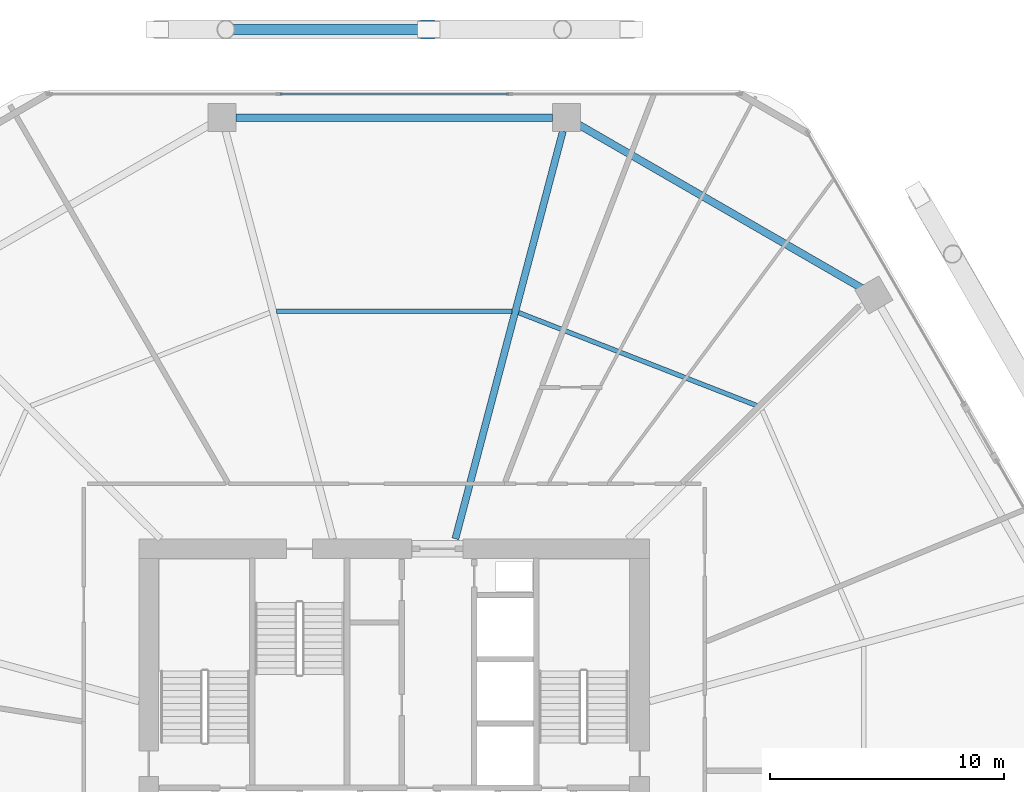
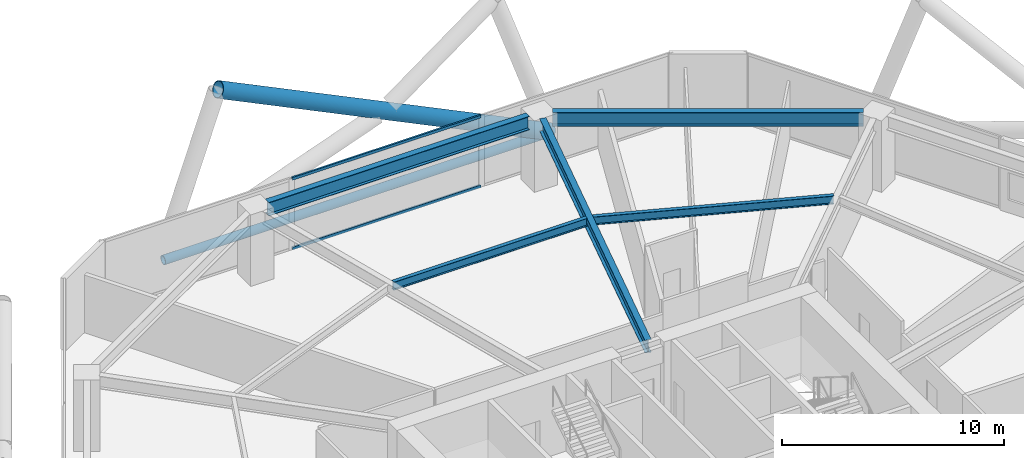
# One storey, part 20 of 28: 5 beams, 4 members, 1 element without a shape of its own.
"""IFC4 building model written with IfcOpenShell, lengths in metres."""

from ifc_helpers import new_model, si_unit, direction, frame, origin, origin_2d, place, context, subcontext, project, spatial, hollow_rectangle, hollow_circle, i_section, extrude, material, material_profile, profile_set, type_object, element, aggregate, save


model = new_model("IFC4")

# Units and contexts
model_context = context("Model", 3, precision=1e-05, world=origin(), true_north=direction((0.0, 1.0)))
body_context = subcontext(model_context, "Body", "Model", "MODEL_VIEW")
ifc_project = project(units=[si_unit("LENGTHUNIT", "METRE"), si_unit("AREAUNIT", "SQUARE_METRE"), si_unit("VOLUMEUNIT", "CUBIC_METRE"), si_unit("PLANEANGLEUNIT", "RADIAN"), si_unit("MASSUNIT", "GRAM", prefix="KILO")], contexts=[model_context])

# Site, building, storey
site_placement = place(None, origin())
site = spatial("IfcSite", under=ifc_project, at=site_placement, CompositionType="ELEMENT")
building_placement = place(site_placement, origin())
building = spatial("IfcBuilding", under=site, at=building_placement, Name="Zuhravey Tower", CompositionType="ELEMENT")
storey_placement = place(building_placement, frame((0.0, 0.0, 75.0)))
storey = spatial("IfcBuildingStorey", under=building, at=storey_placement, Name="L18", CompositionType="ELEMENT", Elevation=75.0)

# Curtain wall, members
ifc_material_1 = material(Name="Thermally broken anodised aluminium", Category="aluminium")
curtain_wall_type = type_object("IfcCurtainWallType", Name="School Low-E Unitised Curtain Wall CW1", PredefinedType="NOTDEFINED", material=ifc_material_1)
curtain_wall_placement = place(storey_placement, origin())
curtain_wall = element("IfcCurtainWall", 1, at=curtain_wall_placement, inside=storey, type_object=curtain_wall_type, Name="L18 CW1 CW-L18-F2-1", PredefinedType="NOTDEFINED")
ifc_material_2 = material(Name="Anodised aluminium", Category="aluminium")
ifc_material_profile_1 = material_profile(ifc_material_2, hollow_rectangle(XDim=0.090087890625, YDim=0.14990234375, WallThickness=0.0048828125, at=origin_2d()), Name="ALU-RHS-90x150x5")
ifc_profile_set_1 = profile_set([ifc_material_profile_1], Name="Anodised aluminium")
member_type_1 = type_object("IfcMemberType", Name="Curtain-Wall Transom 90x150", PredefinedType="USERDEFINED", material=ifc_profile_set_1)
member_1_placement = place(storey_placement, frame((31.11181640625, 60.95849609375, 0.044921875), z_axis=(1.0, 0.0, 0.0), x_axis=(0.0, 1.0, 0.0)))
member_1 = element("IfcMember", 2, at=member_1_placement, type_object=member_type_1, Name="CW1 transom 2.1", ObjectType="TRANSOM", PredefinedType="USERDEFINED", context=body_context, shape_type="SweptSolid", body=[
    extrude(hollow_rectangle(XDim=0.090087890625, YDim=0.14990234375, WallThickness=0.0048828125, at=origin_2d()), origin(), (0.0, 0.0, 1.0), 9.7763671875),
])
member_2_placement = place(storey_placement, frame((31.11181640625, 60.95849609375, 3.875), z_axis=(1.0, 0.0, 0.0), x_axis=(0.0, 1.0, 0.0)))
member_2 = element("IfcMember", 3, at=member_2_placement, type_object=member_type_1, Name="CW1 transom 2.2", ObjectType="TRANSOM", PredefinedType="USERDEFINED", context=body_context, shape_type="SweptSolid", body=[
    extrude(hollow_rectangle(XDim=0.090087890625, YDim=0.14990234375, WallThickness=0.0048828125, at=origin_2d()), origin(), (0.0, 0.0, 1.0), 9.7763671875),
])
aggregate(curtain_wall, [member_1, member_2])

# Members
ifc_material_3 = material(Name="Steel SM355", Category="steel")
ifc_material_profile_2 = material_profile(ifc_material_3, hollow_circle(Radius=0.228515625, WallThickness=0.02197265625, at=origin_2d()), Name="CHS-457.2x22")
ifc_profile_set_2 = profile_set([ifc_material_profile_2], Name="Steel SM355")
member_type_2 = type_object("IfcMemberType", Name="Exoskeleton Ring Tie CHS457x22", PredefinedType="CHORD", material=ifc_profile_set_2)
member_3_placement = place(storey_placement, frame((45.996826171875, 63.718505859375, -0.493896484375), z_axis=(-1.0, 0.0, 0.0), x_axis=(0.0, -1.0, 0.0)))
element("IfcMember", 4, at=member_3_placement, inside=storey, type_object=member_type_2, Name="L18 Exoskeleton Face 2 Tie EXR1", PredefinedType="CHORD", context=body_context, shape_type="SweptSolid", body=[
    extrude(hollow_circle(Radius=0.228515625, WallThickness=0.02197265625, at=origin_2d()), origin(), (0.0, 0.0, 1.0), 19.99365234375),
])
ifc_material_4 = material(Name="Steel SM460", Category="steel")
ifc_material_profile_3 = material_profile(ifc_material_4, hollow_circle(Radius=0.406494140625, WallThickness=0.035888671875, at=origin_2d()), Name="CHS-812.8x36")
ifc_profile_set_3 = profile_set([ifc_material_profile_3], Name="Steel SM460")
member_type_3 = type_object("IfcMemberType", Name="Exoskeleton Zone 1 Diagrid CHS813x36", PredefinedType="BRACE", material=ifc_profile_set_3)
member_4_placement = place(storey_placement, frame((46.09130859375, 63.718505859375, -0.471923828125), z_axis=(-0.899869583891, 0.0, 0.436159067299), x_axis=(0.0, -1.0, 0.0)))
element("IfcMember", 5, at=member_4_placement, inside=storey, type_object=member_type_3, Name="L18 Face 2 Diagrid Brace 2", PredefinedType="BRACE", context=body_context, shape_type="SweptSolid", body=[
    extrude(hollow_circle(Radius=0.406494140625, WallThickness=0.035888671875, at=origin_2d()), origin(), (0.0, 0.0, 1.0), 19.157958984375),
])

# Beams
ifc_material_profile_4 = material_profile(ifc_material_3, i_section(OverallWidth=0.320068359375, OverallDepth=0.75, WebThickness=0.013916015625, FlangeThickness=0.02490234375, at=origin_2d()), Name="H-750x320x14x25")
ifc_profile_set_4 = profile_set([ifc_material_profile_4], Name="Steel SM355")
beam_type_1 = type_object("IfcBeamType", Name="Perimeter Ring Beam H750x320", PredefinedType="BEAM", material=ifc_profile_set_4)
beam_1_placement = place(storey_placement, frame((55.996826171875, 52.658447265625, 3.544921875), z_axis=(-0.866029969761, 0.499992091414, 0.0), x_axis=(-0.499992091414, -0.866029969761, 0.0)))
element("IfcBeam", 6, at=beam_1_placement, inside=storey, type_object=beam_type_1, Name="L18 PB1 BM-L18-PB-02", PredefinedType="BEAM", context=body_context, shape_type="SweptSolid", body=[
    extrude(i_section(OverallWidth=0.320068359375, OverallDepth=0.75, WebThickness=0.013916015625, FlangeThickness=0.02490234375, at=origin_2d()), origin(), (0.0, 0.0, 1.0), 13.977294921875),
])
beam_2_placement = place(storey_placement, frame((42.76708984375, 59.948486328125, 3.544921875), z_axis=(-1.0, 0.0, 0.0), x_axis=(0.0, -1.0, 0.0)))
element("IfcBeam", 7, at=beam_2_placement, inside=storey, type_object=beam_type_1, Name="L18 PB1 BM-L18-PB-03", PredefinedType="BEAM", context=body_context, shape_type="SweptSolid", body=[
    extrude(i_section(OverallWidth=0.320068359375, OverallDepth=0.75, WebThickness=0.013916015625, FlangeThickness=0.02490234375, at=origin_2d()), origin(), (0.0, 0.0, 1.0), 13.5341796875),
])
ifc_material_profile_5 = material_profile(ifc_material_3, i_section(OverallWidth=0.300048828125, OverallDepth=0.699951171875, WebThickness=0.012939453125, FlangeThickness=0.02392578125, at=origin_2d()), Name="H-700x300x13x24")
ifc_profile_set_5 = profile_set([ifc_material_profile_5], Name="Steel SM355")
beam_type_2 = type_object("IfcBeamType", Name="Radial Primary Girder H700x300", PredefinedType="BEAM", material=ifc_profile_set_5)
beam_3_placement = place(storey_placement, frame((38.617919921875, 41.927978515625, 3.570068359375), z_axis=(0.254989720435, 0.966943763862, 0.0), x_axis=(-0.966943763862, 0.254989720435, 0.0)))
element("IfcBeam", 8, at=beam_3_placement, inside=storey, type_object=beam_type_2, Name="L18 RG1 BM-L18-RAD-03", PredefinedType="BEAM", context=body_context, shape_type="SweptSolid", body=[
    extrude(i_section(OverallWidth=0.300048828125, OverallDepth=0.699951171875, WebThickness=0.012939453125, FlangeThickness=0.02392578125, at=origin_2d()), origin(), (0.0, 0.0, 1.0), 18.03369140625),
])
ifc_material_profile_6 = material_profile(ifc_material_3, i_section(OverallWidth=0.199951171875, OverallDepth=0.449951171875, WebThickness=0.009033203125, FlangeThickness=0.013916015625, at=origin_2d()), Name="H-450x200x9x14")
ifc_profile_set_6 = profile_set([ifc_material_profile_6], Name="Steel SM355")
beam_type_3 = type_object("IfcBeamType", Name="Secondary Floor Joist H450x200", PredefinedType="JOIST", material=ifc_profile_set_6)
beam_4_placement = place(storey_placement, frame((51.5400390625, 47.61572265625, 3.695068359375), z_axis=(-0.931516535886, 0.363698973562, 0.0), x_axis=(-0.363698973562, -0.931516535886, 0.0)))
element("IfcBeam", 9, at=beam_4_placement, inside=storey, type_object=beam_type_3, Name="L18 SJ1 BM-L18-SJ-02-1", PredefinedType="JOIST", context=body_context, shape_type="SweptSolid", body=[
    extrude(i_section(OverallWidth=0.199951171875, OverallDepth=0.449951171875, WebThickness=0.009033203125, FlangeThickness=0.013916015625, at=origin_2d()), origin(), (0.0, 0.0, 1.0), 10.963134765625),
])
beam_5_placement = place(storey_placement, frame((41.030029296875, 51.6591796875, 3.695068359375), z_axis=(-1.0, 0.0, 0.0), x_axis=(0.0, -1.0, 0.0)))
element("IfcBeam", 10, at=beam_5_placement, inside=storey, type_object=beam_type_3, Name="L18 SJ1 BM-L18-SJ-03-1", PredefinedType="JOIST", context=body_context, shape_type="SweptSolid", body=[
    extrude(i_section(OverallWidth=0.199951171875, OverallDepth=0.449951171875, WebThickness=0.009033203125, FlangeThickness=0.013916015625, at=origin_2d()), origin(), (0.0, 0.0, 1.0), 10.06005859375),
])

save(model, "model.ifc")
